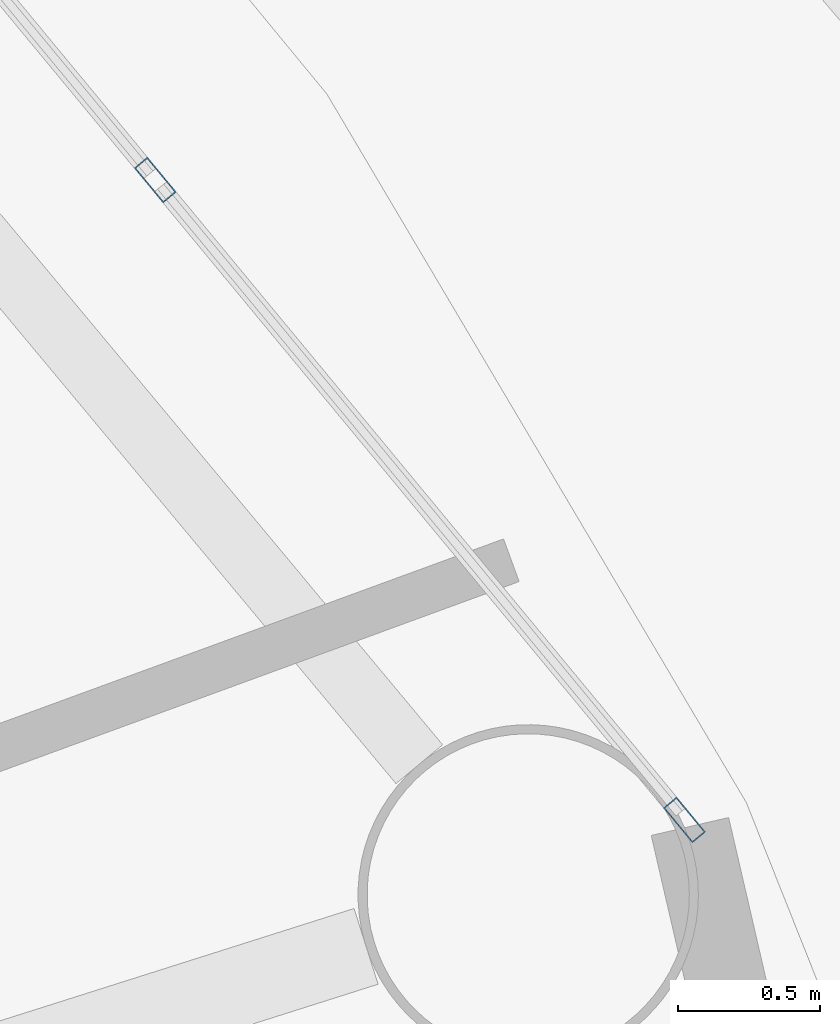
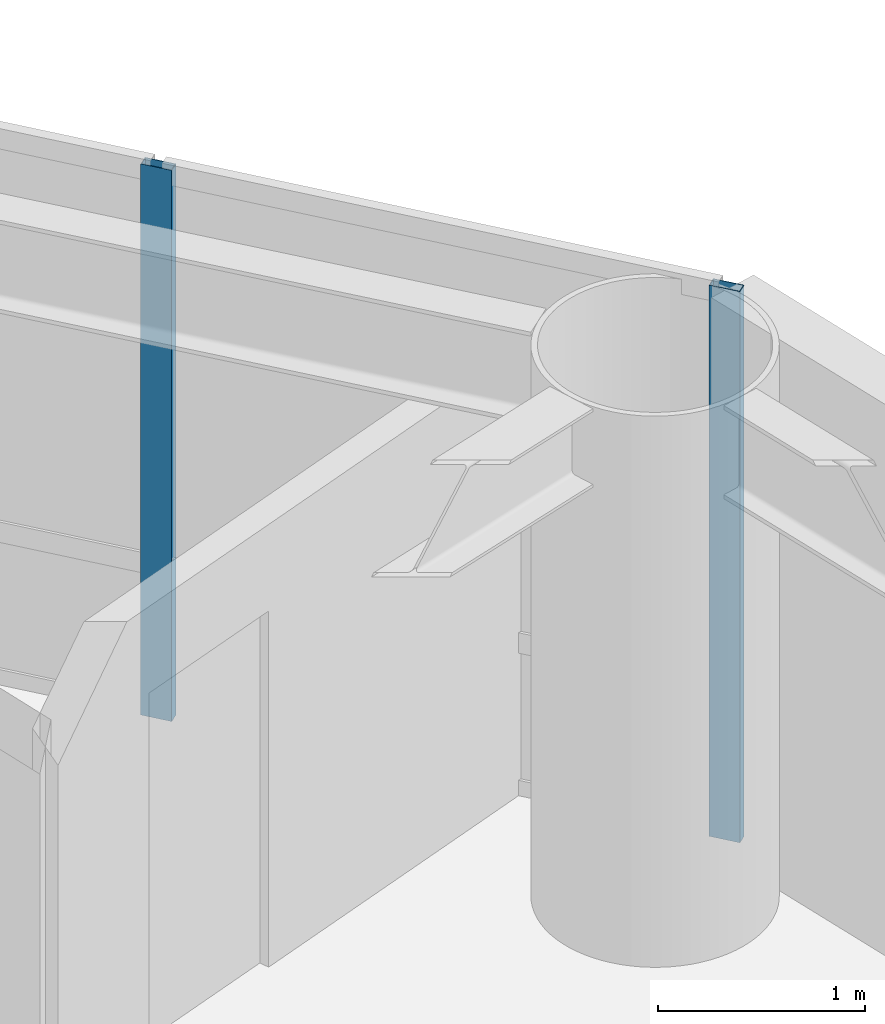
# One storey, part 7 of 28: 2 members, 1 element without a shape of its own.
"""IFC4 building model written with IfcOpenShell, lengths in metres."""

import ifcopenshell
import ifcopenshell.guid

model = None  # the IFC model being written
_history = None  # IfcOwnerHistory: only IFC2X3 demands one
_inside = {}  # id of a spatial element -> (the spatial element, [elements in it])
_under = {}  # id of a project, library or spatial element -> (it, [spatial elements below it])
_declared = {}  # id of a project -> (the project, [libraries it declares])
_typed = {}  # id of a type object -> (the type object, [elements of that type])
_made_of = {}  # id of a material, layer set ... -> (it, [elements and type objects made of it])


def new_model(schema):
    """Start an empty IFC model of exactly this schema.

    Asked for "IFC4X3", IfcOpenShell would pick the latest addendum, in which some entities
    have other attributes; the version numbers below select the first issue.
    IFC2X3 requires an IfcOwnerHistory on every rooted entity: one is made here for all.
    """
    global model, _history
    if schema == "IFC4X3":
        model = ifcopenshell.file(schema_version=(4, 3, 0, 0))
    else:
        model = ifcopenshell.file(schema=schema)
    _inside.clear()
    _under.clear()
    _declared.clear()
    _typed.clear()
    _made_of.clear()
    _history = None
    if model.schema == "IFC2X3":
        org = make("IfcOrganization", Name="unknown")
        user = make(
            "IfcPersonAndOrganization",
            ThePerson=make("IfcPerson", FamilyName="unknown"),
            TheOrganization=org,
        )
        app = make(
            "IfcApplication",
            ApplicationDeveloper=org,
            Version="unknown",
            ApplicationFullName="unknown",
            ApplicationIdentifier="unknown",
        )
        _history = make(
            "IfcOwnerHistory",
            OwningUser=user,
            OwningApplication=app,
            ChangeAction="ADDED",
            CreationDate=0,
        )
    return model


def make(cls, **values):
    """One entity of the class cls with the attributes given. An attribute that is None is left unset."""
    return model.create_entity(
        cls, **{name: value for name, value in values.items() if value is not None}
    )


def rooted(cls, **values):
    """An entity with a GlobalId (a new one), such as an element, a storey or a relation."""
    return make(cls, GlobalId=ifcopenshell.guid.new(), OwnerHistory=_history, **values)


def si_unit(unit_type, name, prefix=None):
    """IfcSIUnit, for example si_unit("LENGTHUNIT", "METRE", prefix="MILLI")."""
    return make("IfcSIUnit", UnitType=unit_type, Prefix=prefix, Name=name)


def assignment(units):
    """IfcUnitAssignment: the units of a project."""
    return None if units is None else make("IfcUnitAssignment", Units=units)


def point(xyz):
    """IfcCartesianPoint."""
    return None if xyz is None else make("IfcCartesianPoint", Coordinates=xyz)


def direction(xyz):
    """IfcDirection."""
    return None if xyz is None else make("IfcDirection", DirectionRatios=xyz)


def frame(location, z_axis=None, x_axis=None):
    """IfcAxis2Placement3D, a coordinate frame: its origin and axes. An axis left out is left unset."""
    return make(
        "IfcAxis2Placement3D",
        Location=point(location),
        Axis=direction(z_axis),
        RefDirection=direction(x_axis),
    )


def frame_2d(location, x_axis=None):
    """IfcAxis2Placement2D, a coordinate frame in the plane: its origin and x axis."""
    return make(
        "IfcAxis2Placement2D", Location=point(location), RefDirection=direction(x_axis)
    )


def origin():
    """The frame at (0, 0, 0) with its axes left unset."""
    return frame((0.0, 0.0, 0.0))


def origin_2d():
    """The frame at (0, 0) in the plane with its x axis left unset."""
    return frame_2d((0.0, 0.0))


def place(relative_to, where):
    """IfcLocalPlacement: puts the frame where relative to a parent placement (None: the world)."""
    return make(
        "IfcLocalPlacement", PlacementRelTo=relative_to, RelativePlacement=where
    )


def context(
    kind, dimensions, precision=None, world=None, true_north=None, identifier=None
):
    """IfcGeometricRepresentationContext, for example the 3D "Model" context."""
    return make(
        "IfcGeometricRepresentationContext",
        ContextIdentifier=identifier,
        ContextType=kind,
        CoordinateSpaceDimension=dimensions,
        Precision=precision,
        WorldCoordinateSystem=world,
        TrueNorth=true_north,
    )


def subcontext(parent, identifier, kind, view, scale=None):
    """IfcGeometricRepresentationSubContext, for example "Body" below "Model"."""
    return make(
        "IfcGeometricRepresentationSubContext",
        ContextIdentifier=identifier,
        ContextType=kind,
        ParentContext=parent,
        TargetScale=scale,
        TargetView=view,
    )


def project(units=None, contexts=None):
    """IfcProject with its units and contexts."""
    return rooted(
        "IfcProject",
        Name="project",
        RepresentationContexts=contexts,
        UnitsInContext=assignment(units),
    )


def spatial(cls, under=None, at=None, **own):
    """A site, building, storey or space (cls), placed at a placement, below another one or the project."""
    s = rooted(cls, ObjectPlacement=at, **own)
    if under is not None:
        _under.setdefault(under.id(), (under, []))[1].append(s)
    return s


def profile(cls, at=None, kind="AREA", **sizes):
    """A parametric profile (cls). Its sizes go by their IFC names, for example OverallWidth=200.0."""
    return make(cls, ProfileType=kind, Position=at, **sizes)


def hollow_rectangle(**sizes):
    """IfcRectangleHollowProfileDef."""
    return profile("IfcRectangleHollowProfileDef", **sizes)


def extrude(swept, where, along, depth):
    """IfcExtrudedAreaSolid: the profile swept, set in the frame where, extruded along a direction by depth."""
    return make(
        "IfcExtrudedAreaSolid",
        SweptArea=swept,
        Position=where,
        ExtrudedDirection=direction(along),
        Depth=depth,
    )


def shape(context_of_items, identifier, shape_type, items):
    """IfcShapeRepresentation: the items that make up one representation, for example the "Body"."""
    return make(
        "IfcShapeRepresentation",
        ContextOfItems=context_of_items,
        RepresentationIdentifier=identifier,
        RepresentationType=shape_type,
        Items=items,
    )


def material(Name=None, Category=None):
    """IfcMaterial."""
    return make("IfcMaterial", Name=Name, Category=Category)


def layer(
    of_material, thickness, ventilated=None, Name=None, Category=None, Priority=None
):
    """IfcMaterialLayer: one layer of a wall or slab, of a material (None: an air gap)."""
    return make(
        "IfcMaterialLayer",
        Material=of_material,
        LayerThickness=thickness,
        IsVentilated=ventilated,
        Name=Name,
        Category=Category,
        Priority=Priority,
    )


def layer_set(layers, Name=None):
    """IfcMaterialLayerSet."""
    return make("IfcMaterialLayerSet", MaterialLayers=layers, LayerSetName=Name)


def material_profile(
    of_material, cross_section, Name=None, Category=None, Priority=None
):
    """IfcMaterialProfile: a cross section and its material."""
    return make(
        "IfcMaterialProfile",
        Name=Name,
        Material=of_material,
        Profile=cross_section,
        Priority=Priority,
        Category=Category,
    )


def profile_set(profiles, Name=None, composite=None):
    """IfcMaterialProfileSet."""
    return make(
        "IfcMaterialProfileSet",
        Name=Name,
        MaterialProfiles=profiles,
        CompositeProfile=composite,
    )


def made_of(thing, what):
    """Note that an element or type object is made of a material, layer set ...; save() writes the relation."""
    if what is not None:
        _made_of.setdefault(what.id(), (what, []))[1].append(thing)
    return thing


def type_object(cls, material=None, **own):
    """A type object (cls), such as IfcWallType, which elements share."""
    return made_of(rooted(cls, **own), material)


def element(
    cls,
    number,
    at=None,
    inside=None,
    cuts=None,
    type_object=None,
    material=None,
    context=None,
    identifier="Body",
    shape_type=None,
    held_by="IfcProductDefinitionShape",
    body=None,
    shapes=None,
    **own,
):
    """One element of the class cls, such as IfcWall. Its Tag is "e" and its number.

    at: its placement. inside: the storey or other place that contains it. cuts: it is an
    opening in that element (IfcRelVoidsElement). A single representation is given by context,
    identifier, shape_type and body (its items); several are given by shapes. held_by: the class
    of the entity that holds the representations. save() writes the other relations.
    """
    e = rooted(cls, Tag="e%d" % number, ObjectPlacement=at, **own)
    if body is not None:
        shapes = [shape(context, identifier, shape_type, body)]
    if shapes is not None:
        e.Representation = make(held_by, Representations=shapes)
    if inside is not None:
        _inside.setdefault(inside.id(), (inside, []))[1].append(e)
    if cuts is not None:
        rooted(
            "IfcRelVoidsElement", RelatingBuildingElement=cuts, RelatedOpeningElement=e
        )
    if type_object is not None:
        _typed.setdefault(type_object.id(), (type_object, []))[1].append(e)
    return made_of(e, material)


def aggregate(whole, parts):
    """IfcRelAggregates: a whole, such as a stair, and the parts it consists of."""
    return rooted("IfcRelAggregates", RelatingObject=whole, RelatedObjects=parts)


def save(model, path):
    """Write the relations noted so far, then the file.

    IfcRelAggregates (storeys below a building ...), IfcRelContainedInSpatialStructure (elements
    in a storey), IfcRelDefinesByType, IfcRelAssociatesMaterial and IfcRelDeclares: one each for
    every whole, place, type object, material and project.
    """
    for whole, parts in _under.values():
        aggregate(whole, parts)
    for where, things in _inside.values():
        rooted(
            "IfcRelContainedInSpatialStructure",
            RelatedElements=things,
            RelatingStructure=where,
        )
    for kind, things in _typed.values():
        rooted("IfcRelDefinesByType", RelatedObjects=things, RelatingType=kind)
    for what, things in _made_of.values():
        rooted("IfcRelAssociatesMaterial", RelatedObjects=things, RelatingMaterial=what)
    for by, libraries in _declared.values():
        rooted("IfcRelDeclares", RelatingContext=by, RelatedDefinitions=libraries)
    model.write(path)


model = new_model("IFC4")

# Units and contexts
model_context = context("Model", 3, precision=1e-05, world=origin(), true_north=direction((0.0, 1.0)))
body_context = subcontext(model_context, "Body", "Model", "MODEL_VIEW")
ifc_project = project(units=[si_unit("LENGTHUNIT", "METRE"), si_unit("AREAUNIT", "SQUARE_METRE"), si_unit("VOLUMEUNIT", "CUBIC_METRE"), si_unit("PLANEANGLEUNIT", "RADIAN"), si_unit("MASSUNIT", "GRAM", prefix="KILO")], contexts=[model_context])

# Site, building, storey
site_placement = place(None, origin())
site = spatial("IfcSite", under=ifc_project, at=site_placement, CompositionType="ELEMENT")
building_placement = place(site_placement, origin())
building = spatial("IfcBuilding", under=site, at=building_placement, Name="Sarneth Arch Tower", CompositionType="ELEMENT")
storey_placement = place(building_placement, frame((0.0, 0.0, 197.39990234375)))
storey = spatial("IfcBuildingStorey", under=building, at=storey_placement, Name="L50", CompositionType="ELEMENT", Elevation=197.39990234375)

# Curtain wall, members
ifc_material_1 = material(Name="Anodised aluminium Type AA25 and solar-control low-e laminated IGU", Category="aluminium")
ifc_layer = layer(ifc_material_1, 0.169921875)
ifc_layer_set = layer_set([ifc_layer], Name="Anodised aluminium Type AA25 and solar-control low-e laminated IGU")
curtain_wall_type = type_object("IfcCurtainWallType", Name="CW-RES-MID", PredefinedType="NOTDEFINED", material=ifc_layer_set)
curtain_wall_placement = place(storey_placement, origin())
curtain_wall = element("IfcCurtainWall", 1, at=curtain_wall_placement, inside=storey, type_object=curtain_wall_type, Name="L50 Unitised curtain wall facet 02", PredefinedType="NOTDEFINED")
ifc_material_2 = material(Name="Anodised Aluminium 6063-T6", Category="aluminium")
ifc_material_profile = material_profile(ifc_material_2, hollow_rectangle(XDim=0.06005859375, YDim=0.159912109375, WallThickness=0.00390625, at=origin_2d()), Name="AL-MULL-160x60x4")
ifc_profile_set = profile_set([ifc_material_profile], Name="Anodised Aluminium 6063-T6")
member_type = type_object("IfcMemberType", Name="CW-MULLION", PredefinedType="MULLION", material=ifc_profile_set)
member_1_placement = place(storey_placement, frame((73.213134765625, 50.090087890625, 0.0), z_axis=(0.0, 0.0, 1.0), x_axis=(-0.770590741276, -0.637330298558, 0.0)))
member_1 = element("IfcMember", 2, at=member_1_placement, type_object=member_type, Name="CW-SYS-5 mullion 1", PredefinedType="MULLION", context=body_context, shape_type="SweptSolid", body=[
    extrude(hollow_rectangle(XDim=0.06005859375, YDim=0.159912109375, WallThickness=0.00390625, at=origin_2d()), origin(), (0.0, 0.0, 1.0), 3.25),
])
member_2_placement = place(storey_placement, frame((71.346923828125, 52.3466796875, 0.0), z_axis=(0.0, 0.0, 1.0), x_axis=(-0.770590741276, -0.637330298558, 0.0)))
member_2 = element("IfcMember", 3, at=member_2_placement, type_object=member_type, Name="CW-SYS-5 mullion 2", PredefinedType="MULLION", context=body_context, shape_type="SweptSolid", body=[
    extrude(hollow_rectangle(XDim=0.06005859375, YDim=0.159912109375, WallThickness=0.00390625, at=origin_2d()), origin(), (0.0, 0.0, 1.0), 3.25),
])
aggregate(curtain_wall, [member_1, member_2])

save(model, "model.ifc")
